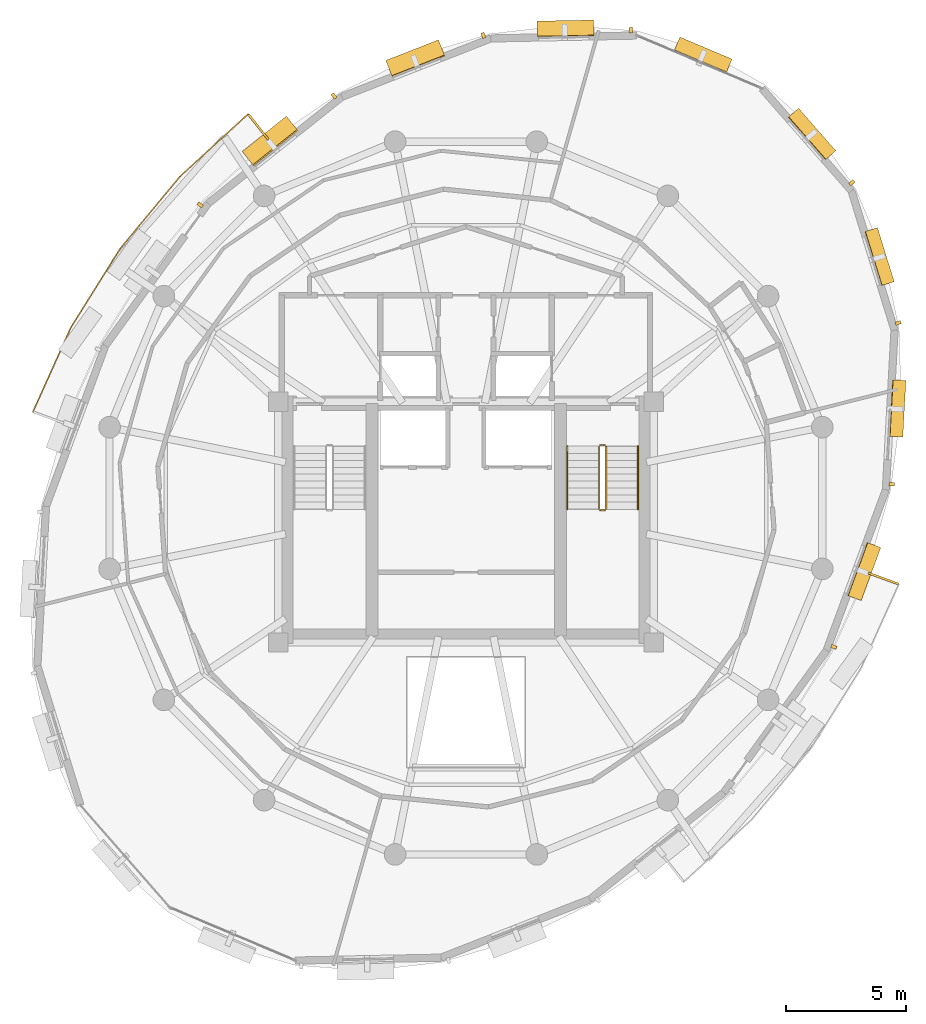
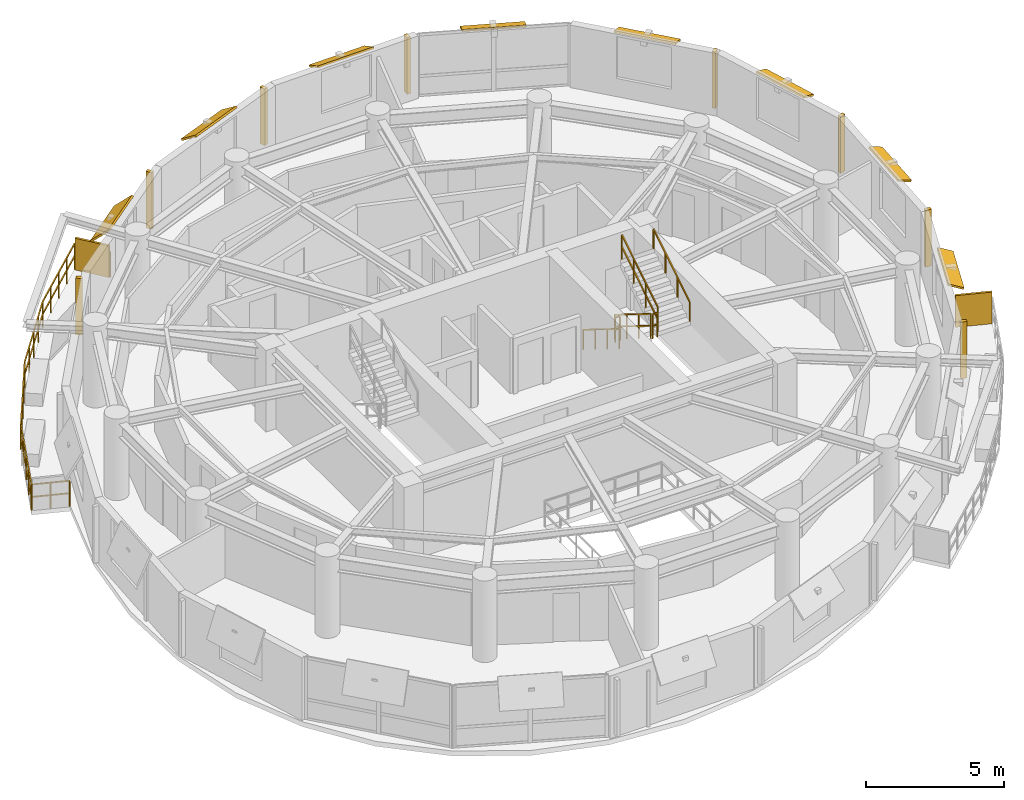
# One storey, part 11 of 11: 18 shading devices, 7 railings.
"""IFC4 building model written with IfcOpenShell, lengths in metres."""

from ifc_helpers import new_model, si_unit, direction, frame, origin, origin_2d, place, context, subcontext, project, spatial, rectangle, extrude, material, layer, layer_set, type_object, element, save


model = new_model("IFC4")

# Units and contexts
model_context = context("Model", 3, precision=1e-05, world=origin(), true_north=direction((0.0, 1.0)))
body_context = subcontext(model_context, "Body", "Model", "MODEL_VIEW")
ifc_project = project(units=[si_unit("LENGTHUNIT", "METRE"), si_unit("AREAUNIT", "SQUARE_METRE"), si_unit("VOLUMEUNIT", "CUBIC_METRE"), si_unit("PLANEANGLEUNIT", "RADIAN"), si_unit("MASSUNIT", "GRAM", prefix="KILO"), si_unit("THERMODYNAMICTEMPERATUREUNIT", "KELVIN"), si_unit("POWERUNIT", "WATT")], contexts=[model_context])

# Site, building, storey
site_placement = place(None, origin())
site = spatial("IfcSite", under=ifc_project, at=site_placement, CompositionType="ELEMENT")
building_placement = place(site_placement, origin())
building = spatial("IfcBuilding", under=site, at=building_placement, Name="Ocrelia Relay Tower", CompositionType="ELEMENT")
storey_placement = place(building_placement, frame((0.0, 0.0, 255.60009765625)))
storey = spatial("IfcBuildingStorey", under=building, at=storey_placement, Name="L63", CompositionType="ELEMENT", Elevation=255.60009765625)

# Railings
ifc_material_1 = material(Name="Steel S355 balustrade", Category="steel")
railing_type_1 = type_object("IfcRailingType", Name="RL-EXT-GUARD-1150", PredefinedType="GUARDRAIL", material=ifc_material_1)
railing_1_placement = place(storey_placement, frame((17.31005859375, 29.103759765625, 0.0)))
element("IfcRailing", 1, at=railing_1_placement, inside=storey, type_object=railing_type_1, Name="L63 Loggia Balcony Guard Rail B1", PredefinedType="GUARDRAIL", context=body_context, shape_type="SweptSolid", body=[
    extrude(rectangle(XDim=0.048095703125, YDim=0.048095703125, at=origin_2d()), frame((0.0, 0.0, 1.1259765625), z_axis=(-0.938683645607, 0.344779659305, 0.0), x_axis=(-0.344779659305, -0.938683645607, 0.0)), (0.0, 0.0, 1.0), 1.3935546875),
    extrude(rectangle(XDim=0.048095703125, YDim=0.048095703125, at=origin_2d()), frame((0.0, 0.0, 0.574951171875), z_axis=(-0.938683645607, 0.344779659305, 0.0), x_axis=(-0.344779659305, -0.938683645607, 0.0)), (0.0, 0.0, 1.0), 1.3935546875),
    extrude(rectangle(XDim=0.048095703125, YDim=0.048095703125, at=origin_2d()), frame((-1.30810546875, 0.48046875, 1.1259765625), z_axis=(0.410026418912, 0.912073646036, 0.0), x_axis=(-0.912073646036, 0.410026418912, 0.0)), (0.0, 0.0, 1.0), 1.9208984375),
    extrude(rectangle(XDim=0.048095703125, YDim=0.048095703125, at=origin_2d()), frame((-1.30810546875, 0.48046875, 0.574951171875), z_axis=(0.410026418912, 0.912073646036, 0.0), x_axis=(-0.912073646036, 0.410026418912, 0.0)), (0.0, 0.0, 1.0), 1.9208984375),
    extrude(rectangle(XDim=0.048095703125, YDim=0.048095703125, at=origin_2d()), frame((-0.5205078125, 2.232421875, 1.1259765625), z_axis=(0.410073956209, 0.912052273962, 0.0), x_axis=(-0.912052273962, 0.410073956209, 0.0)), (0.0, 0.0, 1.0), 1.920654296875),
    extrude(rectangle(XDim=0.048095703125, YDim=0.048095703125, at=origin_2d()), frame((-0.5205078125, 2.232421875, 0.574951171875), z_axis=(0.410073956209, 0.912052273962, 0.0), x_axis=(-0.912052273962, 0.410073956209, 0.0)), (0.0, 0.0, 1.0), 1.920654296875),
    extrude(rectangle(XDim=0.048095703125, YDim=0.048095703125, at=origin_2d()), frame((0.26708984375, 3.984130859375, 1.1259765625), z_axis=(0.529976327582, 0.848012436349, 0.0), x_axis=(-0.848012436349, 0.529976327582, 0.0)), (0.0, 0.0, 1.0), 3.882080078125),
    extrude(rectangle(XDim=0.048095703125, YDim=0.048095703125, at=origin_2d()), frame((0.26708984375, 3.984130859375, 0.574951171875), z_axis=(0.529976327582, 0.848012436349, 0.0), x_axis=(-0.848012436349, 0.529976327582, 0.0)), (0.0, 0.0, 1.0), 3.882080078125),
    extrude(rectangle(XDim=0.048095703125, YDim=0.048095703125, at=origin_2d()), frame((2.324462890625, 7.276123046875, 1.1259765625), z_axis=(0.638735705815, 0.769426213562, 0.0), x_axis=(-0.769426213562, 0.638735705815, 0.0)), (0.0, 0.0, 1.0), 3.8818359375),
    extrude(rectangle(XDim=0.048095703125, YDim=0.048095703125, at=origin_2d()), frame((2.324462890625, 7.276123046875, 0.574951171875), z_axis=(0.638735705815, 0.769426213562, 0.0), x_axis=(-0.769426213562, 0.638735705815, 0.0)), (0.0, 0.0, 1.0), 3.8818359375),
    extrude(rectangle(XDim=0.048095703125, YDim=0.048095703125, at=origin_2d()), frame((4.803955078125, 10.262939453125, 1.1259765625), z_axis=(0.737138310617, 0.675741896748, 0.0), x_axis=(-0.675741896748, 0.737138310617, 0.0)), (0.0, 0.0, 1.0), 1.920654296875),
    extrude(rectangle(XDim=0.048095703125, YDim=0.048095703125, at=origin_2d()), frame((4.803955078125, 10.262939453125, 0.574951171875), z_axis=(0.737138310617, 0.675741896748, 0.0), x_axis=(-0.675741896748, 0.737138310617, 0.0)), (0.0, 0.0, 1.0), 1.920654296875),
    extrude(rectangle(XDim=0.048095703125, YDim=0.048095703125, at=origin_2d()), frame((6.2197265625, 11.560791015625, 1.1259765625), z_axis=(0.737196346491, 0.675678582405, 0.0), x_axis=(-0.675678582405, 0.737196346491, 0.0)), (0.0, 0.0, 1.0), 1.9208984375),
    extrude(rectangle(XDim=0.048095703125, YDim=0.048095703125, at=origin_2d()), frame((6.2197265625, 11.560791015625, 0.574951171875), z_axis=(0.737196346491, 0.675678582405, 0.0), x_axis=(-0.675678582405, 0.737196346491, 0.0)), (0.0, 0.0, 1.0), 1.9208984375),
    extrude(rectangle(XDim=0.048095703125, YDim=0.048095703125, at=origin_2d()), frame((7.6357421875, 12.858642578125, 1.1259765625), z_axis=(0.621999067939, -0.783017981583, 0.0), x_axis=(0.783017981583, 0.621999067939, 0.0)), (0.0, 0.0, 1.0), 1.393310546875),
    extrude(rectangle(XDim=0.048095703125, YDim=0.048095703125, at=origin_2d()), frame((7.6357421875, 12.858642578125, 0.574951171875), z_axis=(0.621999067939, -0.783017981583, 0.0), x_axis=(0.783017981583, 0.621999067939, 0.0)), (0.0, 0.0, 1.0), 1.393310546875),
    extrude(rectangle(XDim=0.0419921875, YDim=0.0419921875, at=origin_2d()), origin(), (0.0, 0.0, 1.0), 1.101806640625),
    extrude(rectangle(XDim=0.0419921875, YDim=0.0419921875, at=origin_2d()), frame((-0.654052734375, 0.240234375, 0.0)), (0.0, 0.0, 1.0), 1.101806640625),
    extrude(rectangle(XDim=0.0419921875, YDim=0.0419921875, at=origin_2d()), frame((-1.30810546875, 0.48046875, 0.0)), (0.0, 0.0, 1.0), 1.101806640625),
    extrude(rectangle(XDim=0.0419921875, YDim=0.0419921875, at=origin_2d()), frame((-0.914306640625, 1.3564453125, 0.0)), (0.0, 0.0, 1.0), 1.101806640625),
    extrude(rectangle(XDim=0.0419921875, YDim=0.0419921875, at=origin_2d()), frame((-0.5205078125, 2.232421875, 0.0)), (0.0, 0.0, 1.0), 1.101806640625),
    extrude(rectangle(XDim=0.0419921875, YDim=0.0419921875, at=origin_2d()), frame((-0.126708984375, 3.1083984375, 0.0)), (0.0, 0.0, 1.0), 1.101806640625),
    extrude(rectangle(XDim=0.0419921875, YDim=0.0419921875, at=origin_2d()), frame((0.26708984375, 3.984130859375, 0.0)), (0.0, 0.0, 1.0), 1.101806640625),
    extrude(rectangle(XDim=0.0419921875, YDim=0.0419921875, at=origin_2d()), frame((0.781494140625, 4.80712890625, 0.0)), (0.0, 0.0, 1.0), 1.101806640625),
    extrude(rectangle(XDim=0.0419921875, YDim=0.0419921875, at=origin_2d()), frame((1.2958984375, 5.630126953125, 0.0)), (0.0, 0.0, 1.0), 1.101806640625),
    extrude(rectangle(XDim=0.0419921875, YDim=0.0419921875, at=origin_2d()), frame((1.81005859375, 6.453125, 0.0)), (0.0, 0.0, 1.0), 1.101806640625),
    extrude(rectangle(XDim=0.0419921875, YDim=0.0419921875, at=origin_2d()), frame((2.324462890625, 7.276123046875, 0.0)), (0.0, 0.0, 1.0), 1.101806640625),
    extrude(rectangle(XDim=0.0419921875, YDim=0.0419921875, at=origin_2d()), frame((2.9443359375, 8.02294921875, 0.0)), (0.0, 0.0, 1.0), 1.101806640625),
    extrude(rectangle(XDim=0.0419921875, YDim=0.0419921875, at=origin_2d()), frame((3.564208984375, 8.76953125, 0.0)), (0.0, 0.0, 1.0), 1.101806640625),
    extrude(rectangle(XDim=0.0419921875, YDim=0.0419921875, at=origin_2d()), frame((4.18408203125, 9.51611328125, 0.0)), (0.0, 0.0, 1.0), 1.101806640625),
    extrude(rectangle(XDim=0.0419921875, YDim=0.0419921875, at=origin_2d()), frame((4.803955078125, 10.262939453125, 0.0)), (0.0, 0.0, 1.0), 1.101806640625),
    extrude(rectangle(XDim=0.0419921875, YDim=0.0419921875, at=origin_2d()), frame((5.51171875, 10.911865234375, 0.0)), (0.0, 0.0, 1.0), 1.101806640625),
    extrude(rectangle(XDim=0.0419921875, YDim=0.0419921875, at=origin_2d()), frame((6.2197265625, 11.560791015625, 0.0)), (0.0, 0.0, 1.0), 1.101806640625),
    extrude(rectangle(XDim=0.0419921875, YDim=0.0419921875, at=origin_2d()), frame((6.927734375, 12.209716796875, 0.0)), (0.0, 0.0, 1.0), 1.101806640625),
    extrude(rectangle(XDim=0.0419921875, YDim=0.0419921875, at=origin_2d()), frame((7.6357421875, 12.858642578125, 0.0)), (0.0, 0.0, 1.0), 1.101806640625),
    extrude(rectangle(XDim=0.0419921875, YDim=0.0419921875, at=origin_2d()), frame((8.069091796875, 12.31298828125, 0.0)), (0.0, 0.0, 1.0), 1.101806640625),
    extrude(rectangle(XDim=0.0419921875, YDim=0.0419921875, at=origin_2d()), frame((8.50244140625, 11.767578125, 0.0)), (0.0, 0.0, 1.0), 1.101806640625),
])
railing_type_2 = type_object("IfcRailingType", Name="RL-STAIR-GUARD", PredefinedType="GUARDRAIL", material=ifc_material_1)
railing_2_placement = place(storey_placement, frame((39.530029296875, 28.14990234375, 0.179931640625)))
element("IfcRailing", 2, at=railing_2_placement, inside=storey, type_object=railing_type_2, Name="L63 ST2 stair guard 1", PredefinedType="GUARDRAIL", context=body_context, shape_type="SweptSolid", body=[
    extrude(rectangle(XDim=0.048095703125, YDim=0.048095703125, at=origin_2d()), frame((0.0, 0.0, 1.076171875), z_axis=(0.0, -0.849646306263, 0.527352969322), x_axis=(1.0, 0.0, 0.0)), (0.0, 0.0, 1.0), 3.07177734375),
    extrude(rectangle(XDim=0.048095703125, YDim=0.048095703125, at=origin_2d()), frame((0.0, 0.0, 0.550048828125), z_axis=(0.0, -0.849646306263, 0.527352969322), x_axis=(1.0, 0.0, 0.0)), (0.0, 0.0, 1.0), 3.07177734375),
    extrude(rectangle(XDim=0.0419921875, YDim=0.0419921875, at=origin_2d()), origin(), (0.0, 0.0, 1.0), 1.052001953125),
    extrude(rectangle(XDim=0.0419921875, YDim=0.0419921875, at=origin_2d()), frame((0.0, -0.869873046875, 0.5400390625)), (0.0, 0.0, 1.0), 1.052001953125),
    extrude(rectangle(XDim=0.0419921875, YDim=0.0419921875, at=origin_2d()), frame((0.0, -1.739990234375, 1.079833984375)), (0.0, 0.0, 1.0), 1.052001953125),
    extrude(rectangle(XDim=0.0419921875, YDim=0.0419921875, at=origin_2d()), frame((0.0, -2.60986328125, 1.619873046875)), (0.0, 0.0, 1.0), 1.052001953125),
])
railing_3_placement = place(storey_placement, frame((39.580078125, 25.489990234375, 1.7998046875)))
element("IfcRailing", 3, at=railing_3_placement, inside=storey, type_object=railing_type_2, Name="L63 ST2 stair guard 2", PredefinedType="GUARDRAIL", context=body_context, shape_type="SweptSolid", body=[
    extrude(rectangle(XDim=0.048095703125, YDim=0.048095703125, at=origin_2d()), frame((0.0, 0.0, 1.076171875), z_axis=(1.0, 0.0, 0.0), x_axis=(0.0, 1.0, 0.0)), (0.0, 0.0, 1.0), 0.199951171875),
    extrude(rectangle(XDim=0.048095703125, YDim=0.048095703125, at=origin_2d()), frame((0.0, 0.0, 0.550048828125), z_axis=(1.0, 0.0, 0.0), x_axis=(0.0, 1.0, 0.0)), (0.0, 0.0, 1.0), 0.199951171875),
    extrude(rectangle(XDim=0.0419921875, YDim=0.0419921875, at=origin_2d()), origin(), (0.0, 0.0, 1.0), 1.052001953125),
    extrude(rectangle(XDim=0.0419921875, YDim=0.0419921875, at=origin_2d()), frame((0.199951171875, 0.0, 0.0)), (0.0, 0.0, 1.0), 1.052001953125),
])
railing_4_placement = place(storey_placement, frame((39.830078125, 25.5400390625, 1.97998046875)))
element("IfcRailing", 4, at=railing_4_placement, inside=storey, type_object=railing_type_2, Name="L63 ST2 stair guard 3", PredefinedType="GUARDRAIL", context=body_context, shape_type="SweptSolid", body=[
    extrude(rectangle(XDim=0.048095703125, YDim=0.048095703125, at=origin_2d()), frame((0.0, 0.0, 1.076171875), z_axis=(0.0, 0.849646306263, 0.527352969322), x_axis=(-1.0, 0.0, 0.0)), (0.0, 0.0, 1.0), 3.07177734375),
    extrude(rectangle(XDim=0.048095703125, YDim=0.048095703125, at=origin_2d()), frame((0.0, 0.0, 0.550048828125), z_axis=(0.0, 0.849646306263, 0.527352969322), x_axis=(-1.0, 0.0, 0.0)), (0.0, 0.0, 1.0), 3.07177734375),
    extrude(rectangle(XDim=0.0419921875, YDim=0.0419921875, at=origin_2d()), origin(), (0.0, 0.0, 1.0), 1.052001953125),
    extrude(rectangle(XDim=0.0419921875, YDim=0.0419921875, at=origin_2d()), frame((0.0, 0.869873046875, 0.5400390625)), (0.0, 0.0, 1.0), 1.052001953125),
    extrude(rectangle(XDim=0.0419921875, YDim=0.0419921875, at=origin_2d()), frame((0.0, 1.739990234375, 1.079833984375)), (0.0, 0.0, 1.0), 1.052001953125),
    extrude(rectangle(XDim=0.0419921875, YDim=0.0419921875, at=origin_2d()), frame((0.0, 2.60986328125, 1.619873046875)), (0.0, 0.0, 1.0), 1.052001953125),
])
railing_5_placement = place(storey_placement, frame((39.580078125, 28.199951171875, 0.0)))
element("IfcRailing", 5, at=railing_5_placement, inside=storey, type_object=railing_type_2, Name="L63 ST2 stair guard 4", PredefinedType="GUARDRAIL", context=body_context, shape_type="SweptSolid", body=[
    extrude(rectangle(XDim=0.048095703125, YDim=0.048095703125, at=origin_2d()), frame((0.0, 0.0, 1.076171875), z_axis=(1.0, 0.0, 0.0), x_axis=(0.0, 1.0, 0.0)), (0.0, 0.0, 1.0), 0.199951171875),
    extrude(rectangle(XDim=0.048095703125, YDim=0.048095703125, at=origin_2d()), frame((0.0, 0.0, 0.550048828125), z_axis=(1.0, 0.0, 0.0), x_axis=(0.0, 1.0, 0.0)), (0.0, 0.0, 1.0), 0.199951171875),
    extrude(rectangle(XDim=0.0419921875, YDim=0.0419921875, at=origin_2d()), origin(), (0.0, 0.0, 1.0), 1.052001953125),
    extrude(rectangle(XDim=0.0419921875, YDim=0.0419921875, at=origin_2d()), frame((0.199951171875, 0.0, 0.0)), (0.0, 0.0, 1.0), 1.052001953125),
])
ifc_material_2 = material(Name="Steel S355 tubular handrail", Category="steel")
railing_type_3 = type_object("IfcRailingType", Name="RL-STAIR-HAND", PredefinedType="HANDRAIL", material=ifc_material_2)
railing_6_placement = place(storey_placement, frame((38.2099609375, 28.14990234375, 0.179931640625)))
element("IfcRailing", 6, at=railing_6_placement, inside=storey, type_object=railing_type_3, Name="L63 ST2 stair handrail 1", PredefinedType="HANDRAIL", context=body_context, shape_type="SweptSolid", body=[
    extrude(rectangle(XDim=0.048095703125, YDim=0.048095703125, at=origin_2d()), frame((0.0, 0.0, 0.8759765625), z_axis=(0.0, -0.849646306263, 0.527352969322), x_axis=(1.0, 0.0, 0.0)), (0.0, 0.0, 1.0), 3.07177734375),
    extrude(rectangle(XDim=0.0419921875, YDim=0.0419921875, at=origin_2d()), origin(), (0.0, 0.0, 1.0), 0.851806640625),
    extrude(rectangle(XDim=0.0419921875, YDim=0.0419921875, at=origin_2d()), frame((0.0, -0.869873046875, 0.5400390625)), (0.0, 0.0, 1.0), 0.851806640625),
    extrude(rectangle(XDim=0.0419921875, YDim=0.0419921875, at=origin_2d()), frame((0.0, -1.739990234375, 1.079833984375)), (0.0, 0.0, 1.0), 0.851806640625),
    extrude(rectangle(XDim=0.0419921875, YDim=0.0419921875, at=origin_2d()), frame((0.0, -2.60986328125, 1.619873046875)), (0.0, 0.0, 1.0), 0.851806640625),
])
railing_7_placement = place(storey_placement, frame((41.14990234375, 25.5400390625, 1.97998046875)))
element("IfcRailing", 7, at=railing_7_placement, inside=storey, type_object=railing_type_3, Name="L63 ST2 stair handrail 2", PredefinedType="HANDRAIL", context=body_context, shape_type="SweptSolid", body=[
    extrude(rectangle(XDim=0.048095703125, YDim=0.048095703125, at=origin_2d()), frame((0.0, 0.0, 0.8759765625), z_axis=(0.0, 0.849646306263, 0.527352969322), x_axis=(-1.0, 0.0, 0.0)), (0.0, 0.0, 1.0), 3.07177734375),
    extrude(rectangle(XDim=0.0419921875, YDim=0.0419921875, at=origin_2d()), origin(), (0.0, 0.0, 1.0), 0.851806640625),
    extrude(rectangle(XDim=0.0419921875, YDim=0.0419921875, at=origin_2d()), frame((0.0, 0.869873046875, 0.5400390625)), (0.0, 0.0, 1.0), 0.851806640625),
    extrude(rectangle(XDim=0.0419921875, YDim=0.0419921875, at=origin_2d()), frame((0.0, 1.739990234375, 1.079833984375)), (0.0, 0.0, 1.0), 0.851806640625),
    extrude(rectangle(XDim=0.0419921875, YDim=0.0419921875, at=origin_2d()), frame((0.0, 2.60986328125, 1.619873046875)), (0.0, 0.0, 1.0), 0.851806640625),
])

# Shading devices
ifc_material_3 = material(Name="Perforated oxide terracotta solar screen", Category="masonry")
ifc_layer_1 = layer(ifc_material_3, 0.090087890625, Name="Perforated oxide terracotta solar screen")
ifc_layer_set_1 = layer_set([ifc_layer_1], Name="Perforated oxide terracotta solar screen")
shading_device_type_1 = type_object("IfcShadingDeviceType", Name="SH-BALC-SCREEN", PredefinedType="USERDEFINED", material=ifc_layer_set_1)
for number, where, z_axis, x_axis, name in (
    (8, (25.379150390625, 41.416748046875, 0.0), (0.0, 0.0, 1.0), (-0.622030985687, 0.782992626303, 0.0), "L63 Balcony Perforated Terracotta Screen B1-1"),
    (9, (51.343994140625, 22.656005859375, 0.0), (0.0, 0.0, 1.0), (0.938699144993, -0.344737458349, 0.0), "L63 Balcony Perforated Terracotta Screen B2-2"),
):
    element("IfcShadingDevice", number, at=place(storey_placement, frame(where, z_axis=z_axis, x_axis=x_axis)), inside=storey, type_object=shading_device_type_1, Name=name, ObjectType="SCREEN", PredefinedType="USERDEFINED", context=body_context, shape_type="SweptSolid", body=[
        extrude(rectangle(XDim=1.340087890625, YDim=0.090087890625, at=origin_2d()), origin(), (0.0, 0.0, 1.0), 1.39990234375),
    ])
ifc_material_4 = material(Name="Extruded oxide terracotta vertical baguette", Category="masonry")
shading_device_type_2 = type_object("IfcShadingDeviceType", Name="SH-TERR-BAGUETTE", PredefinedType="USERDEFINED", material=ifc_material_4)
for number, where, z_axis, x_axis, name in (
    (10, (40.849365234375, 45.4453125, 0.1298828125), (0.0, 0.0, 1.0), (-0.999804696142, -0.019762833108, 0.0), "L63 Oxide Terracotta Vertical Baguette 02"),
    (11, (34.725830078125, 45.226806640625, 0.1298828125), (0.0, 0.0, 1.0), (-0.931075889498, -0.36482555831, 0.0), "L63 Oxide Terracotta Vertical Baguette 03"),
    (12, (28.516845703125, 42.70703125, 0.1298828125), (0.0, 0.0, 1.0), (-0.781972743201, -0.623312625326, 0.0), "L63 Oxide Terracotta Vertical Baguette 04"),
    (13, (22.95703125, 38.181884765625, 0.1298828125), (0.0, 0.0, 1.0), (-0.585660252398, -0.810556641303, 0.0), "L63 Oxide Terracotta Vertical Baguette 05"),
    (14, (49.2861328125, 19.815185546875, 0.1298828125), (0.0, 0.0, 1.0), (0.346256297157, 0.938139955806, 0.0), "L63 Oxide Terracotta Vertical Baguette 15"),
    (15, (51.693603515625, 26.572021484375, 0.1298828125), (0.0, 0.0, 1.0), (0.054025965219, 0.998539531056, 0.0), "L63 Oxide Terracotta Vertical Baguette 16"),
    (16, (51.958740234375, 33.275390625, 0.1298828125), (0.0, 0.0, 1.0), (-0.295171841882, 0.955444181394, 0.0), "L63 Oxide Terracotta Vertical Baguette 17"),
    (17, (50.03564453125, 39.102294921875, 0.1298828125), (0.0, 0.0, 1.0), (-0.658658709941, 0.752441827532, 0.0), "L63 Oxide Terracotta Vertical Baguette 18"),
):
    element("IfcShadingDevice", number, at=place(storey_placement, frame(where, z_axis=z_axis, x_axis=x_axis)), inside=storey, type_object=shading_device_type_2, Name=name, ObjectType="BAGUETTE", PredefinedType="USERDEFINED", context=body_context, shape_type="SweptSolid", body=[
        extrude(rectangle(XDim=0.139892578125, YDim=0.239990234375, at=origin_2d()), origin(), (0.0, 0.0, 1.0), 2.5),
    ])
ifc_material_5 = material(Name="Extruded oxide terracotta fin", Category="masonry")
ifc_layer_2 = layer(ifc_material_5, 0.080078125, Name="Extruded oxide terracotta fin")
ifc_layer_set_2 = layer_set([ifc_layer_2], Name="Extruded oxide terracotta fin")
shading_device_type_3 = type_object("IfcShadingDeviceType", Name="SH-VISOR-FIN-MED", PredefinedType="USERDEFINED", material=ifc_layer_set_2)
shading_device_1_placement = place(storey_placement, frame((31.904296875, 44.255615234375, 2.56689453125), z_axis=(-0.206166937648, 0.526161230986, 0.825014880368), x_axis=(-0.931075889498, -0.36482555831, 0.0)))
element("IfcShadingDevice", 18, at=shading_device_1_placement, inside=storey, type_object=shading_device_type_3, Name="L63 Canted Terracotta Sun-Visor Fin 03", ObjectType="FIN", PredefinedType="USERDEFINED", context=body_context, shape_type="SweptSolid", body=[
    extrude(rectangle(XDim=2.35009765625, YDim=0.823974609375, at=origin_2d()), origin(), (0.0, 0.0, 1.0), 0.080078125),
])
shading_device_2_placement = place(storey_placement, frame((25.87451171875, 40.817626953125, 2.57080078125), z_axis=(-0.429612164494, 0.538967107567, 0.724532846102), x_axis=(-0.781972743201, -0.623312625326, 0.0)))
element("IfcShadingDevice", 19, at=shading_device_2_placement, inside=storey, type_object=shading_device_type_3, Name="L63 Canted Terracotta Sun-Visor Fin 04", ObjectType="FIN", PredefinedType="USERDEFINED", context=body_context, shape_type="SweptSolid", body=[
    extrude(rectangle(XDim=2.35009765625, YDim=0.97607421875, at=origin_2d()), origin(), (0.0, 0.0, 1.0), 0.080078125),
])
ifc_layer_3 = layer(ifc_material_5, 0.080078125, Name="Extruded oxide terracotta fin")
ifc_layer_set_3 = layer_set([ifc_layer_3], Name="Extruded oxide terracotta fin")
shading_device_type_4 = type_object("IfcShadingDeviceType", Name="SH-VISOR-FIN-SHAL", PredefinedType="USERDEFINED", material=ifc_layer_set_3)
shading_device_3_placement = place(storey_placement, frame((43.84912109375, 44.403076171875, 2.56298828125), z_axis=(0.150716168015, 0.356830896575, 0.921930771776), x_axis=(-0.921199382172, 0.389090861221, 0.0)))
element("IfcShadingDevice", 20, at=shading_device_3_placement, inside=storey, type_object=shading_device_type_4, Name="L63 Canted Terracotta Sun-Visor Fin 01", ObjectType="FIN", PredefinedType="USERDEFINED", context=body_context, shape_type="SweptSolid", body=[
    extrude(rectangle(XDim=2.35009765625, YDim=0.6298828125, at=origin_2d()), origin(), (0.0, 0.0, 1.0), 0.080078125),
])
shading_device_4_placement = place(storey_placement, frame((38.138427734375, 45.492431640625, 2.564453125), z_axis=(-0.009146870714, 0.462741563658, 0.886446038978), x_axis=(-0.999804696142, -0.019762833108, 0.0)))
element("IfcShadingDevice", 21, at=shading_device_4_placement, inside=storey, type_object=shading_device_type_4, Name="L63 Canted Terracotta Sun-Visor Fin 02", ObjectType="FIN", PredefinedType="USERDEFINED", context=body_context, shape_type="SweptSolid", body=[
    extrude(rectangle(XDim=2.35009765625, YDim=0.708984375, at=origin_2d()), origin(), (0.0, 0.0, 1.0), 0.080078125),
])
shading_device_5_placement = place(storey_placement, frame((50.533935546875, 22.951904296875, 2.562744140625), z_axis=(0.35825411859, -0.132227333221, 0.924213134976), x_axis=(0.346256297157, 0.938139955806, 0.0)))
element("IfcShadingDevice", 22, at=shading_device_5_placement, inside=storey, type_object=shading_device_type_4, Name="L63 Canted Terracotta Sun-Visor Fin 15", ObjectType="FIN", PredefinedType="USERDEFINED", context=body_context, shape_type="SweptSolid", body=[
    extrude(rectangle(XDim=2.35009765625, YDim=0.6240234375, at=origin_2d()), origin(), (0.0, 0.0, 1.0), 0.080078125),
])
shading_device_6_placement = place(storey_placement, frame((51.92822265625, 29.726806640625, 2.56201171875), z_axis=(0.319154102292, -0.017267827556, 0.947545503457), x_axis=(0.054025965219, 0.998539531056, 0.0)))
element("IfcShadingDevice", 23, at=shading_device_6_placement, inside=storey, type_object=shading_device_type_4, Name="L63 Canted Terracotta Sun-Visor Fin 16", ObjectType="FIN", PredefinedType="USERDEFINED", context=body_context, shape_type="SweptSolid", body=[
    extrude(rectangle(XDim=2.35009765625, YDim=0.56103515625, at=origin_2d()), origin(), (0.0, 0.0, 1.0), 0.080078125),
])
shading_device_7_placement = place(storey_placement, frame((51.175048828125, 36.029052734375, 2.561767578125), z_axis=(0.296833986987, 0.091702933963, 0.950515731628), x_axis=(-0.295171841882, 0.955444181394, 0.0)))
element("IfcShadingDevice", 24, at=shading_device_7_placement, inside=storey, type_object=shading_device_type_4, Name="L63 Canted Terracotta Sun-Visor Fin 17", ObjectType="FIN", PredefinedType="USERDEFINED", context=body_context, shape_type="SweptSolid", body=[
    extrude(rectangle(XDim=2.35009765625, YDim=0.552001953125, at=origin_2d()), origin(), (0.0, 0.0, 1.0), 0.080078125),
])
shading_device_8_placement = place(storey_placement, frame((48.371337890625, 41.120361328125, 2.562255859375), z_axis=(0.253149952763, 0.221597757072, 0.941705652248), x_axis=(-0.658658709941, 0.752441827532, 0.0)))
element("IfcShadingDevice", 25, at=shading_device_8_placement, inside=storey, type_object=shading_device_type_4, Name="L63 Canted Terracotta Sun-Visor Fin 18", ObjectType="FIN", PredefinedType="USERDEFINED", context=body_context, shape_type="SweptSolid", body=[
    extrude(rectangle(XDim=2.35009765625, YDim=0.577880859375, at=origin_2d()), origin(), (0.0, 0.0, 1.0), 0.080078125),
])

save(model, "model.ifc")
